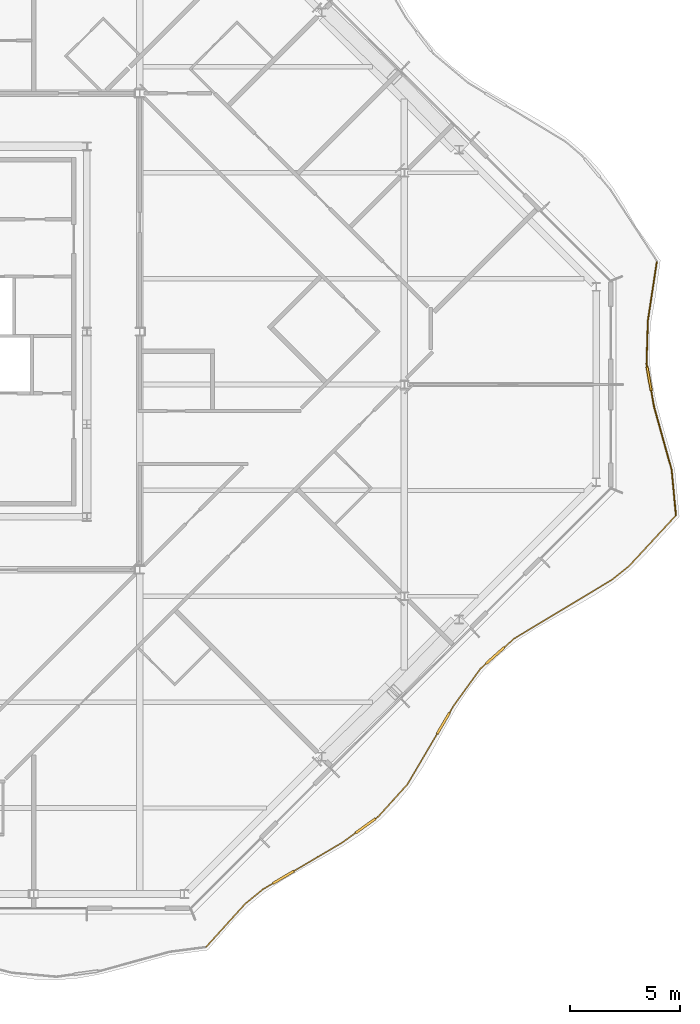
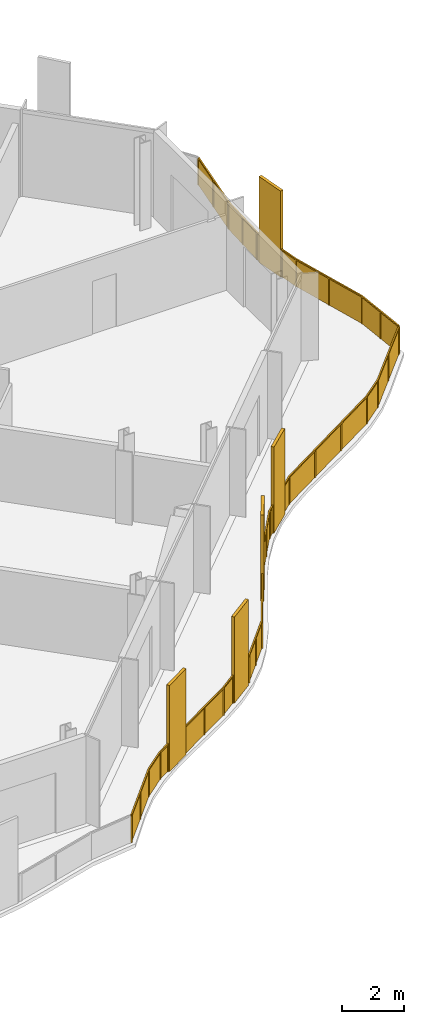
# One storey, part 15 of 17: 2 railings.
"""IFC4 building model written with IfcOpenShell, lengths in metres."""

import ifcopenshell
import ifcopenshell.guid

model = None  # the IFC model being written
_history = None  # IfcOwnerHistory: only IFC2X3 demands one
_inside = {}  # id of a spatial element -> (the spatial element, [elements in it])
_under = {}  # id of a project, library or spatial element -> (it, [spatial elements below it])
_declared = {}  # id of a project -> (the project, [libraries it declares])
_typed = {}  # id of a type object -> (the type object, [elements of that type])
_made_of = {}  # id of a material, layer set ... -> (it, [elements and type objects made of it])


def new_model(schema):
    """Start an empty IFC model of exactly this schema.

    Asked for "IFC4X3", IfcOpenShell would pick the latest addendum, in which some entities
    have other attributes; the version numbers below select the first issue.
    IFC2X3 requires an IfcOwnerHistory on every rooted entity: one is made here for all.
    """
    global model, _history
    if schema == "IFC4X3":
        model = ifcopenshell.file(schema_version=(4, 3, 0, 0))
    else:
        model = ifcopenshell.file(schema=schema)
    _inside.clear()
    _under.clear()
    _declared.clear()
    _typed.clear()
    _made_of.clear()
    _history = None
    if model.schema == "IFC2X3":
        org = make("IfcOrganization", Name="unknown")
        user = make(
            "IfcPersonAndOrganization",
            ThePerson=make("IfcPerson", FamilyName="unknown"),
            TheOrganization=org,
        )
        app = make(
            "IfcApplication",
            ApplicationDeveloper=org,
            Version="unknown",
            ApplicationFullName="unknown",
            ApplicationIdentifier="unknown",
        )
        _history = make(
            "IfcOwnerHistory",
            OwningUser=user,
            OwningApplication=app,
            ChangeAction="ADDED",
            CreationDate=0,
        )
    return model


def make(cls, **values):
    """One entity of the class cls with the attributes given. An attribute that is None is left unset."""
    return model.create_entity(
        cls, **{name: value for name, value in values.items() if value is not None}
    )


def rooted(cls, **values):
    """An entity with a GlobalId (a new one), such as an element, a storey or a relation."""
    return make(cls, GlobalId=ifcopenshell.guid.new(), OwnerHistory=_history, **values)


def si_unit(unit_type, name, prefix=None):
    """IfcSIUnit, for example si_unit("LENGTHUNIT", "METRE", prefix="MILLI")."""
    return make("IfcSIUnit", UnitType=unit_type, Prefix=prefix, Name=name)


def assignment(units):
    """IfcUnitAssignment: the units of a project."""
    return None if units is None else make("IfcUnitAssignment", Units=units)


def point(xyz):
    """IfcCartesianPoint."""
    return None if xyz is None else make("IfcCartesianPoint", Coordinates=xyz)


def direction(xyz):
    """IfcDirection."""
    return None if xyz is None else make("IfcDirection", DirectionRatios=xyz)


def frame(location, z_axis=None, x_axis=None):
    """IfcAxis2Placement3D, a coordinate frame: its origin and axes. An axis left out is left unset."""
    return make(
        "IfcAxis2Placement3D",
        Location=point(location),
        Axis=direction(z_axis),
        RefDirection=direction(x_axis),
    )


def frame_2d(location, x_axis=None):
    """IfcAxis2Placement2D, a coordinate frame in the plane: its origin and x axis."""
    return make(
        "IfcAxis2Placement2D", Location=point(location), RefDirection=direction(x_axis)
    )


def origin():
    """The frame at (0, 0, 0) with its axes left unset."""
    return frame((0.0, 0.0, 0.0))


def origin_2d():
    """The frame at (0, 0) in the plane with its x axis left unset."""
    return frame_2d((0.0, 0.0))


def place(relative_to, where):
    """IfcLocalPlacement: puts the frame where relative to a parent placement (None: the world)."""
    return make(
        "IfcLocalPlacement", PlacementRelTo=relative_to, RelativePlacement=where
    )


def context(
    kind, dimensions, precision=None, world=None, true_north=None, identifier=None
):
    """IfcGeometricRepresentationContext, for example the 3D "Model" context."""
    return make(
        "IfcGeometricRepresentationContext",
        ContextIdentifier=identifier,
        ContextType=kind,
        CoordinateSpaceDimension=dimensions,
        Precision=precision,
        WorldCoordinateSystem=world,
        TrueNorth=true_north,
    )


def subcontext(parent, identifier, kind, view, scale=None):
    """IfcGeometricRepresentationSubContext, for example "Body" below "Model"."""
    return make(
        "IfcGeometricRepresentationSubContext",
        ContextIdentifier=identifier,
        ContextType=kind,
        ParentContext=parent,
        TargetScale=scale,
        TargetView=view,
    )


def project(units=None, contexts=None):
    """IfcProject with its units and contexts."""
    return rooted(
        "IfcProject",
        Name="project",
        RepresentationContexts=contexts,
        UnitsInContext=assignment(units),
    )


def spatial(cls, under=None, at=None, **own):
    """A site, building, storey or space (cls), placed at a placement, below another one or the project."""
    s = rooted(cls, ObjectPlacement=at, **own)
    if under is not None:
        _under.setdefault(under.id(), (under, []))[1].append(s)
    return s


def polyline(points):
    """IfcPolyline through the points."""
    return make("IfcPolyline", Points=[point(p) for p in points])


def profile(cls, at=None, kind="AREA", **sizes):
    """A parametric profile (cls). Its sizes go by their IFC names, for example OverallWidth=200.0."""
    return make(cls, ProfileType=kind, Position=at, **sizes)


def rectangle(**sizes):
    """IfcRectangleProfileDef."""
    return profile("IfcRectangleProfileDef", **sizes)


def outline(outer, holes=None, kind="AREA"):
    """IfcArbitraryClosedProfileDef: a profile drawn as a closed curve; with holes, ...WithVoids."""
    if holes is None:
        return make("IfcArbitraryClosedProfileDef", ProfileType=kind, OuterCurve=outer)
    return make(
        "IfcArbitraryProfileDefWithVoids",
        ProfileType=kind,
        OuterCurve=outer,
        InnerCurves=holes,
    )


def extrude(swept, where, along, depth):
    """IfcExtrudedAreaSolid: the profile swept, set in the frame where, extruded along a direction by depth."""
    return make(
        "IfcExtrudedAreaSolid",
        SweptArea=swept,
        Position=where,
        ExtrudedDirection=direction(along),
        Depth=depth,
    )


def shape(context_of_items, identifier, shape_type, items):
    """IfcShapeRepresentation: the items that make up one representation, for example the "Body"."""
    return make(
        "IfcShapeRepresentation",
        ContextOfItems=context_of_items,
        RepresentationIdentifier=identifier,
        RepresentationType=shape_type,
        Items=items,
    )


def material(Name=None, Category=None):
    """IfcMaterial."""
    return make("IfcMaterial", Name=Name, Category=Category)


def made_of(thing, what):
    """Note that an element or type object is made of a material, layer set ...; save() writes the relation."""
    if what is not None:
        _made_of.setdefault(what.id(), (what, []))[1].append(thing)
    return thing


def type_object(cls, material=None, **own):
    """A type object (cls), such as IfcWallType, which elements share."""
    return made_of(rooted(cls, **own), material)


def element(
    cls,
    number,
    at=None,
    inside=None,
    cuts=None,
    type_object=None,
    material=None,
    context=None,
    identifier="Body",
    shape_type=None,
    held_by="IfcProductDefinitionShape",
    body=None,
    shapes=None,
    **own,
):
    """One element of the class cls, such as IfcWall. Its Tag is "e" and its number.

    at: its placement. inside: the storey or other place that contains it. cuts: it is an
    opening in that element (IfcRelVoidsElement). A single representation is given by context,
    identifier, shape_type and body (its items); several are given by shapes. held_by: the class
    of the entity that holds the representations. save() writes the other relations.
    """
    e = rooted(cls, Tag="e%d" % number, ObjectPlacement=at, **own)
    if body is not None:
        shapes = [shape(context, identifier, shape_type, body)]
    if shapes is not None:
        e.Representation = make(held_by, Representations=shapes)
    if inside is not None:
        _inside.setdefault(inside.id(), (inside, []))[1].append(e)
    if cuts is not None:
        rooted(
            "IfcRelVoidsElement", RelatingBuildingElement=cuts, RelatedOpeningElement=e
        )
    if type_object is not None:
        _typed.setdefault(type_object.id(), (type_object, []))[1].append(e)
    return made_of(e, material)


def aggregate(whole, parts):
    """IfcRelAggregates: a whole, such as a stair, and the parts it consists of."""
    return rooted("IfcRelAggregates", RelatingObject=whole, RelatedObjects=parts)


def save(model, path):
    """Write the relations noted so far, then the file.

    IfcRelAggregates (storeys below a building ...), IfcRelContainedInSpatialStructure (elements
    in a storey), IfcRelDefinesByType, IfcRelAssociatesMaterial and IfcRelDeclares: one each for
    every whole, place, type object, material and project.
    """
    for whole, parts in _under.values():
        aggregate(whole, parts)
    for where, things in _inside.values():
        rooted(
            "IfcRelContainedInSpatialStructure",
            RelatedElements=things,
            RelatingStructure=where,
        )
    for kind, things in _typed.values():
        rooted("IfcRelDefinesByType", RelatedObjects=things, RelatingType=kind)
    for what, things in _made_of.values():
        rooted("IfcRelAssociatesMaterial", RelatedObjects=things, RelatingMaterial=what)
    for by, libraries in _declared.values():
        rooted("IfcRelDeclares", RelatingContext=by, RelatedDefinitions=libraries)
    model.write(path)


model = new_model("IFC4")

# Units and contexts
model_context = context("Model", 3, precision=1e-05, world=origin(), true_north=direction((0.0, 1.0)))
body_context = subcontext(model_context, "Body", "Model", "MODEL_VIEW")
ifc_project = project(units=[si_unit("LENGTHUNIT", "METRE"), si_unit("AREAUNIT", "SQUARE_METRE"), si_unit("VOLUMEUNIT", "CUBIC_METRE"), si_unit("PLANEANGLEUNIT", "RADIAN"), si_unit("MASSUNIT", "GRAM", prefix="KILO")], contexts=[model_context])

# Site, building, storey
site_placement = place(None, origin())
site = spatial("IfcSite", under=ifc_project, at=site_placement, CompositionType="ELEMENT")
building_placement = place(site_placement, origin())
building = spatial("IfcBuilding", under=site, at=building_placement, Name="Cairn Pilgrim Tower", CompositionType="ELEMENT")
storey_placement = place(building_placement, frame((0.0, 0.0, 274.199951171875)))
storey = spatial("IfcBuildingStorey", under=building, at=storey_placement, Name="L70", CompositionType="ELEMENT", Elevation=274.199951171875)

# Railings
ifc_material = material(Name="Bronze anodised aluminium rail, posts and fin screens with laminated glass infill", Category="aluminium")
railing_type = type_object("IfcRailingType", Name="BALCONY GUARD WITH FIN SCREENS", PredefinedType="GUARDRAIL", material=ifc_material)
railing_1_placement = place(storey_placement, frame((22.20654296875, -25.501708984375, 0.0)))
element("IfcRailing", 1, at=railing_1_placement, inside=storey, type_object=railing_type, Name="Balcony guard BGF-1 with fin screens", PredefinedType="GUARDRAIL", context=body_context, shape_type="SweptSolid", body=[
    extrude(rectangle(XDim=0.050048828125, YDim=0.050048828125, at=origin_2d()), frame((0.0, 0.0, 1.0751953125), z_axis=(0.671204986505, 0.741271789623, 0.0), x_axis=(-0.741271789623, 0.671204986505, 0.0)), (0.0, 0.0, 1.0), 2.651611328125),
    extrude(rectangle(XDim=0.050048828125, YDim=0.050048828125, at=origin_2d()), frame((1.77978515625, 1.965576171875, 1.0751953125), z_axis=(0.775680320527, 0.63112600988, 0.0), x_axis=(-0.63112600988, 0.775680320527, 0.0)), (0.0, 0.0, 1.0), 1.03369140625),
    extrude(rectangle(XDim=1.10009765625, YDim=0.110107421875, at=origin_2d()), frame((3.505615234375, 3.162841796875, 0.0), z_axis=(0.0, 0.0, 1.0), x_axis=(0.861429779893, 0.507876692036, 0.0)), (0.0, 0.0, 1.0), 3.39990234375),
    extrude(rectangle(XDim=0.050048828125, YDim=0.050048828125, at=origin_2d()), frame((2.58154296875, 2.617919921875, 1.0751953125), z_axis=(0.861429779893, 0.507876692036, 0.0), x_axis=(-0.507876692036, 0.861429779893, 0.0)), (0.0, 0.0, 1.0), 0.52294921875),
    extrude(rectangle(XDim=0.050048828125, YDim=0.050048828125, at=origin_2d()), frame((3.9794921875, 3.442138671875, 1.0751953125), z_axis=(0.861429779893, 0.507876692036, 0.0), x_axis=(-0.507876692036, 0.861429779893, 0.0)), (0.0, 0.0, 1.0), 2.5361328125),
    extrude(rectangle(XDim=1.10009765625, YDim=0.110107421875, at=origin_2d()), frame((7.233154296875, 5.4970703125, 0.0), z_axis=(0.0, 0.0, 1.0), x_axis=(0.812553217057, 0.582887012594, 0.0)), (0.0, 0.0, 1.0), 3.39990234375),
    extrude(rectangle(XDim=0.050048828125, YDim=0.050048828125, at=origin_2d()), frame((6.164306640625, 4.730224609375, 1.0751953125), z_axis=(0.812553217057, 0.582887012594, 0.0), x_axis=(-0.582887012594, 0.812553217057, 0.0)), (0.0, 0.0, 1.0), 0.765380859375),
    extrude(rectangle(XDim=0.050048828125, YDim=0.050048828125, at=origin_2d()), frame((7.68017578125, 5.817626953125, 1.0751953125), z_axis=(0.812553217057, 0.582887012594, 0.0), x_axis=(-0.582887012594, 0.812553217057, 0.0)), (0.0, 0.0, 1.0), 0.150146484375),
    extrude(rectangle(XDim=0.050048828125, YDim=0.050048828125, at=origin_2d()), frame((7.802001953125, 5.905029296875, 1.0751953125), z_axis=(0.669977762672, 0.742381167276, 0.0), x_axis=(-0.742381167276, 0.669977762672, 0.0)), (0.0, 0.0, 1.0), 1.982666015625),
    extrude(rectangle(XDim=1.10009765625, YDim=0.110107421875, at=origin_2d()), frame((10.7548828125, 10.13818359375, 0.0), z_axis=(0.0, 0.0, 1.0), x_axis=(0.507066431251, 0.861906975432, 0.0)), (0.0, 0.0, 1.0), 3.39990234375),
    extrude(rectangle(XDim=0.050048828125, YDim=0.050048828125, at=origin_2d()), frame((9.13037109375, 7.376953125, 1.0751953125), z_axis=(0.507066431251, 0.861906975432, 0.0), x_axis=(-0.861906975432, 0.507066431251, 0.0)), (0.0, 0.0, 1.0), 2.653564453125),
    extrude(rectangle(XDim=0.050048828125, YDim=0.050048828125, at=origin_2d()), frame((11.03369140625, 10.612060546875, 1.0751953125), z_axis=(0.507066431251, 0.861906975432, 0.0), x_axis=(-0.861906975432, 0.507066431251, 0.0)), (0.0, 0.0, 1.0), 0.393798828125),
    extrude(rectangle(XDim=0.050048828125, YDim=0.050048828125, at=origin_2d()), frame((11.2333984375, 10.95166015625, 1.0751953125), z_axis=(0.586338241982, 0.810066334314, 0.0), x_axis=(-0.810066334314, 0.586338241982, 0.0)), (0.0, 0.0, 1.0), 2.060302734375),
    extrude(rectangle(XDim=1.10009765625, YDim=0.110107421875, at=origin_2d()), frame((13.1025390625, 13.21142578125, 0.0), z_axis=(0.0, 0.0, 1.0), x_axis=(0.745634643019, 0.666354994826, 0.0)), (0.0, 0.0, 1.0), 3.39990234375),
    extrude(rectangle(XDim=0.050048828125, YDim=0.050048828125, at=origin_2d()), frame((12.44140625, 12.62060546875, 1.0751953125), z_axis=(0.745634643019, 0.666354994826, 0.0), x_axis=(-0.666354994826, 0.745634643019, 0.0)), (0.0, 0.0, 1.0), 0.336669921875),
    extrude(rectangle(XDim=0.050048828125, YDim=0.050048828125, at=origin_2d()), frame((13.5126953125, 13.577880859375, 1.0751953125), z_axis=(0.745634643019, 0.666354994826, 0.0), x_axis=(-0.666354994826, 0.745634643019, 0.0)), (0.0, 0.0, 1.0), 0.608154296875),
    extrude(rectangle(XDim=0.050048828125, YDim=0.050048828125, at=origin_2d()), frame((13.966064453125, 13.983154296875, 1.0751953125), z_axis=(0.856989872577, 0.515333249752, 0.0), x_axis=(-0.515333249752, 0.856989872577, 0.0)), (0.0, 0.0, 1.0), 5.185791015625),
    extrude(rectangle(XDim=0.050048828125, YDim=0.050048828125, at=origin_2d()), frame((18.41015625, 16.655517578125, 1.0751953125), z_axis=(0.778844236462, 0.627217390807, 0.0), x_axis=(-0.627217390807, 0.778844236462, 0.0)), (0.0, 0.0, 1.0), 0.990234375),
    extrude(rectangle(XDim=0.050048828125, YDim=0.050048828125, at=origin_2d()), frame((19.181396484375, 17.276611328125, 1.0751953125), z_axis=(0.679398492956, 0.733769505887, 0.0), x_axis=(-0.733769505887, 0.679398492956, 0.0)), (0.0, 0.0, 1.0), 3.062255859375),
    extrude(rectangle(XDim=0.050048828125, YDim=0.050048828125, at=origin_2d()), origin(), (0.0, 0.0, 1.0), 1.050048828125),
    extrude(rectangle(XDim=0.050048828125, YDim=0.050048828125, at=origin_2d()), frame((0.889892578125, 0.98291015625, 0.0)), (0.0, 0.0, 1.0), 1.050048828125),
    extrude(rectangle(XDim=0.050048828125, YDim=0.050048828125, at=origin_2d()), frame((1.77978515625, 1.965576171875, 0.0)), (0.0, 0.0, 1.0), 1.050048828125),
    extrude(rectangle(XDim=0.050048828125, YDim=0.050048828125, at=origin_2d()), frame((2.58154296875, 2.617919921875, 0.0)), (0.0, 0.0, 1.0), 1.050048828125),
    extrude(rectangle(XDim=0.050048828125, YDim=0.050048828125, at=origin_2d()), frame((3.010498046875, 2.870849609375, 0.0)), (0.0, 0.0, 1.0), 1.050048828125),
    extrude(rectangle(XDim=0.050048828125, YDim=0.050048828125, at=origin_2d()), frame((4.0009765625, 3.454833984375, 0.0)), (0.0, 0.0, 1.0), 1.050048828125),
    extrude(rectangle(XDim=0.050048828125, YDim=0.050048828125, at=origin_2d()), frame((5.082763671875, 4.092529296875, 0.0)), (0.0, 0.0, 1.0), 1.050048828125),
    extrude(rectangle(XDim=0.050048828125, YDim=0.050048828125, at=origin_2d()), frame((6.164306640625, 4.730224609375, 0.0)), (0.0, 0.0, 1.0), 1.050048828125),
    extrude(rectangle(XDim=0.050048828125, YDim=0.050048828125, at=origin_2d()), frame((6.765869140625, 5.161865234375, 0.0)), (0.0, 0.0, 1.0), 1.050048828125),
    extrude(rectangle(XDim=0.050048828125, YDim=0.050048828125, at=origin_2d()), frame((7.700439453125, 5.832275390625, 0.0)), (0.0, 0.0, 1.0), 1.050048828125),
    extrude(rectangle(XDim=0.050048828125, YDim=0.050048828125, at=origin_2d()), frame((7.802001953125, 5.905029296875, 0.0)), (0.0, 0.0, 1.0), 1.050048828125),
    extrude(rectangle(XDim=0.050048828125, YDim=0.050048828125, at=origin_2d()), frame((8.46630859375, 6.64111328125, 0.0)), (0.0, 0.0, 1.0), 1.050048828125),
    extrude(rectangle(XDim=0.050048828125, YDim=0.050048828125, at=origin_2d()), frame((9.13037109375, 7.376953125, 0.0)), (0.0, 0.0, 1.0), 1.050048828125),
    extrude(rectangle(XDim=0.050048828125, YDim=0.050048828125, at=origin_2d()), frame((9.796875, 8.509765625, 0.0)), (0.0, 0.0, 1.0), 1.050048828125),
    extrude(rectangle(XDim=0.050048828125, YDim=0.050048828125, at=origin_2d()), frame((10.463134765625, 9.642578125, 0.0)), (0.0, 0.0, 1.0), 1.050048828125),
    extrude(rectangle(XDim=0.050048828125, YDim=0.050048828125, at=origin_2d()), frame((11.04638671875, 10.6337890625, 0.0)), (0.0, 0.0, 1.0), 1.050048828125),
    extrude(rectangle(XDim=0.050048828125, YDim=0.050048828125, at=origin_2d()), frame((11.2333984375, 10.95166015625, 0.0)), (0.0, 0.0, 1.0), 1.050048828125),
    extrude(rectangle(XDim=0.050048828125, YDim=0.050048828125, at=origin_2d()), frame((11.83740234375, 11.7861328125, 0.0)), (0.0, 0.0, 1.0), 1.050048828125),
    extrude(rectangle(XDim=0.050048828125, YDim=0.050048828125, at=origin_2d()), frame((12.44140625, 12.62060546875, 0.0)), (0.0, 0.0, 1.0), 1.050048828125),
    extrude(rectangle(XDim=0.050048828125, YDim=0.050048828125, at=origin_2d()), frame((12.673828125, 12.828369140625, 0.0)), (0.0, 0.0, 1.0), 1.050048828125),
    extrude(rectangle(XDim=0.050048828125, YDim=0.050048828125, at=origin_2d()), frame((13.53125, 13.5947265625, 0.0)), (0.0, 0.0, 1.0), 1.050048828125),
    extrude(rectangle(XDim=0.050048828125, YDim=0.050048828125, at=origin_2d()), frame((13.966064453125, 13.983154296875, 0.0)), (0.0, 0.0, 1.0), 1.050048828125),
    extrude(rectangle(XDim=0.050048828125, YDim=0.050048828125, at=origin_2d()), frame((15.447509765625, 14.8740234375, 0.0)), (0.0, 0.0, 1.0), 1.050048828125),
    extrude(rectangle(XDim=0.050048828125, YDim=0.050048828125, at=origin_2d()), frame((16.9287109375, 15.7646484375, 0.0)), (0.0, 0.0, 1.0), 1.050048828125),
    extrude(rectangle(XDim=0.050048828125, YDim=0.050048828125, at=origin_2d()), frame((18.41015625, 16.655517578125, 0.0)), (0.0, 0.0, 1.0), 1.050048828125),
    extrude(rectangle(XDim=0.050048828125, YDim=0.050048828125, at=origin_2d()), frame((19.181396484375, 17.276611328125, 0.0)), (0.0, 0.0, 1.0), 1.050048828125),
    extrude(rectangle(XDim=0.050048828125, YDim=0.050048828125, at=origin_2d()), frame((20.2216796875, 18.400146484375, 0.0)), (0.0, 0.0, 1.0), 1.050048828125),
    extrude(rectangle(XDim=0.050048828125, YDim=0.050048828125, at=origin_2d()), frame((21.261962890625, 19.523681640625, 0.0)), (0.0, 0.0, 1.0), 1.050048828125),
    extrude(outline(polyline([(0.02490234375, 0.0), (1.30078125, 0.0), (1.30078125, 1.050048828125), (0.02490234375, 1.050048828125), (0.02490234375, 0.0)])), frame((-0.00439453125, 0.00390625, 0.0), z_axis=(0.741271789623, -0.671204986505, 0.0), x_axis=(0.671204986505, 0.741271789623, 0.0)), (0.0, 0.0, 1.0), 0.011962890625),
    extrude(outline(polyline([(0.02490234375, 0.0), (1.30078125, 0.0), (1.30078125, 1.050048828125), (0.02490234375, 1.050048828125), (0.02490234375, 0.0)])), frame((0.885498046875, 0.98681640625, 0.0), z_axis=(0.741271789623, -0.671204986505, 0.0), x_axis=(0.671204986505, 0.741271789623, 0.0)), (0.0, 0.0, 1.0), 0.011962890625),
    extrude(outline(polyline([(0.02490234375, 0.0), (1.008544921875, 0.0), (1.008544921875, 1.050048828125), (0.02490234375, 1.050048828125), (0.02490234375, 0.0)])), frame((1.776123046875, 1.97021484375, 0.0), z_axis=(0.63112600988, -0.775680320527, 0.0), x_axis=(0.775680320527, 0.63112600988, 0.0)), (0.0, 0.0, 1.0), 0.011962890625),
    extrude(outline(polyline([(0.02490234375, 0.0), (0.472900390625, 0.0), (0.472900390625, 1.050048828125), (0.02490234375, 1.050048828125), (0.02490234375, 0.0)])), frame((2.57861328125, 2.623046875, 0.0), z_axis=(0.507876692036, -0.861429779893, 0.0), x_axis=(0.861429779893, 0.507876692036, 0.0)), (0.0, 0.0, 1.0), 0.011962890625),
    extrude(outline(polyline([(0.02490234375, 0.0), (1.23046875, 0.0), (1.23046875, 1.050048828125), (0.02490234375, 1.050048828125), (0.02490234375, 0.0)])), frame((3.998046875, 3.4599609375, 0.0), z_axis=(0.507876692036, -0.861429779893, 0.0), x_axis=(0.861429779893, 0.507876692036, 0.0)), (0.0, 0.0, 1.0), 0.011962890625),
    extrude(outline(polyline([(0.02490234375, 0.0), (1.23046875, 0.0), (1.23046875, 1.050048828125), (0.02490234375, 1.050048828125), (0.02490234375, 0.0)])), frame((5.07958984375, 4.09765625, 0.0), z_axis=(0.507876692036, -0.861429779893, 0.0), x_axis=(0.861429779893, 0.507876692036, 0.0)), (0.0, 0.0, 1.0), 0.011962890625),
    extrude(outline(polyline([(0.02490234375, 0.0), (0.71533203125, 0.0), (0.71533203125, 1.050048828125), (0.02490234375, 1.050048828125), (0.02490234375, 0.0)])), frame((6.160888671875, 4.735107421875, 0.0), z_axis=(0.582887012594, -0.812553217057, 0.0), x_axis=(0.812553217057, 0.582887012594, 0.0)), (0.0, 0.0, 1.0), 0.011962890625),
    extrude(outline(polyline([(0.02490234375, 0.0), (0.10009765625, 0.0), (0.10009765625, 1.050048828125), (0.02490234375, 1.050048828125), (0.02490234375, 0.0)])), frame((7.697021484375, 5.8369140625, 0.0), z_axis=(0.582887012594, -0.812553217057, 0.0), x_axis=(0.812553217057, 0.582887012594, 0.0)), (0.0, 0.0, 1.0), 0.011962890625),
    extrude(outline(polyline([(0.02490234375, 0.0), (0.96630859375, 0.0), (0.96630859375, 1.050048828125), (0.02490234375, 1.050048828125), (0.02490234375, 0.0)])), frame((7.797607421875, 5.908935546875, 0.0), z_axis=(0.742381167276, -0.669977762672, 0.0), x_axis=(0.669977762672, 0.742381167276, 0.0)), (0.0, 0.0, 1.0), 0.011962890625),
    extrude(outline(polyline([(0.02490234375, 0.0), (0.96630859375, 0.0), (0.96630859375, 1.050048828125), (0.02490234375, 1.050048828125), (0.02490234375, 0.0)])), frame((8.461669921875, 6.64501953125, 0.0), z_axis=(0.742381167276, -0.669977762672, 0.0), x_axis=(0.669977762672, 0.742381167276, 0.0)), (0.0, 0.0, 1.0), 0.011962890625),
    extrude(outline(polyline([(0.02490234375, 0.0), (1.289306640625, 0.0), (1.289306640625, 1.050048828125), (0.02490234375, 1.050048828125), (0.02490234375, 0.0)])), frame((9.125244140625, 7.3798828125, 0.0), z_axis=(0.861906975432, -0.507066431251, 0.0), x_axis=(0.507066431251, 0.861906975432, 0.0)), (0.0, 0.0, 1.0), 0.011962890625),
    extrude(outline(polyline([(0.02490234375, 0.0), (1.289306640625, 0.0), (1.289306640625, 1.050048828125), (0.02490234375, 1.050048828125), (0.02490234375, 0.0)])), frame((9.791748046875, 8.5126953125, 0.0), z_axis=(0.861906975432, -0.507066431251, 0.0), x_axis=(0.507066431251, 0.861906975432, 0.0)), (0.0, 0.0, 1.0), 0.011962890625),
    extrude(outline(polyline([(0.02490234375, 0.0), (0.34375, 0.0), (0.34375, 1.050048828125), (0.02490234375, 1.050048828125), (0.02490234375, 0.0)])), frame((11.041259765625, 10.63671875, 0.0), z_axis=(0.861906975432, -0.507066431251, 0.0), x_axis=(0.507066431251, 0.861906975432, 0.0)), (0.0, 0.0, 1.0), 0.011962890625),
    extrude(outline(polyline([(0.02490234375, 0.0), (1.005126953125, 0.0), (1.005126953125, 1.050048828125), (0.02490234375, 1.050048828125), (0.02490234375, 0.0)])), frame((11.228515625, 10.955078125, 0.0), z_axis=(0.810066334314, -0.586338241982, 0.0), x_axis=(0.586338241982, 0.810066334314, 0.0)), (0.0, 0.0, 1.0), 0.011962890625),
    extrude(outline(polyline([(0.02490234375, 0.0), (1.005126953125, 0.0), (1.005126953125, 1.050048828125), (0.02490234375, 1.050048828125), (0.02490234375, 0.0)])), frame((11.83251953125, 11.78955078125, 0.0), z_axis=(0.810066334314, -0.586338241982, 0.0), x_axis=(0.586338241982, 0.810066334314, 0.0)), (0.0, 0.0, 1.0), 0.011962890625),
    extrude(outline(polyline([(0.02490234375, 0.0), (0.28662109375, 0.0), (0.28662109375, 1.050048828125), (0.02490234375, 1.050048828125), (0.02490234375, 0.0)])), frame((12.4375, 12.625, 0.0), z_axis=(0.666354994826, -0.745634643019, 0.0), x_axis=(0.745634643019, 0.666354994826, 0.0)), (0.0, 0.0, 1.0), 0.011962890625),
    extrude(outline(polyline([(0.02490234375, 0.0), (0.55810546875, 0.0), (0.55810546875, 1.050048828125), (0.02490234375, 1.050048828125), (0.02490234375, 0.0)])), frame((13.52734375, 13.59912109375, 0.0), z_axis=(0.666354994826, -0.745634643019, 0.0), x_axis=(0.745634643019, 0.666354994826, 0.0)), (0.0, 0.0, 1.0), 0.011962890625),
    extrude(outline(polyline([(0.02490234375, 0.0), (1.70361328125, 0.0), (1.70361328125, 1.050048828125), (0.02490234375, 1.050048828125), (0.02490234375, 0.0)])), frame((13.962890625, 13.98828125, 0.0), z_axis=(0.515333249752, -0.856989872577, 0.0), x_axis=(0.856989872577, 0.515333249752, 0.0)), (0.0, 0.0, 1.0), 0.011962890625),
    extrude(outline(polyline([(0.02490234375, 0.0), (1.70361328125, 0.0), (1.70361328125, 1.050048828125), (0.02490234375, 1.050048828125), (0.02490234375, 0.0)])), frame((15.4443359375, 14.879150390625, 0.0), z_axis=(0.515333249752, -0.856989872577, 0.0), x_axis=(0.856989872577, 0.515333249752, 0.0)), (0.0, 0.0, 1.0), 0.011962890625),
    extrude(outline(polyline([(0.02490234375, 0.0), (1.70361328125, 0.0), (1.70361328125, 1.050048828125), (0.02490234375, 1.050048828125), (0.02490234375, 0.0)])), frame((16.92578125, 15.769775390625, 0.0), z_axis=(0.515333249752, -0.856989872577, 0.0), x_axis=(0.856989872577, 0.515333249752, 0.0)), (0.0, 0.0, 1.0), 0.011962890625),
    extrude(outline(polyline([(0.02490234375, 0.0), (0.96533203125, 0.0), (0.96533203125, 1.050048828125), (0.02490234375, 1.050048828125), (0.02490234375, 0.0)])), frame((18.406494140625, 16.66015625, 0.0), z_axis=(0.627217390807, -0.778844236462, 0.0), x_axis=(0.778844236462, 0.627217390807, 0.0)), (0.0, 0.0, 1.0), 0.011962890625),
    extrude(outline(polyline([(0.02490234375, 0.0), (1.506103515625, 0.0), (1.506103515625, 1.050048828125), (0.02490234375, 1.050048828125), (0.02490234375, 0.0)])), frame((19.177001953125, 17.28076171875, 0.0), z_axis=(0.733769505887, -0.679398492956, 0.0), x_axis=(0.679398492956, 0.733769505887, 0.0)), (0.0, 0.0, 1.0), 0.011962890625),
    extrude(outline(polyline([(0.02490234375, 0.0), (1.506103515625, 0.0), (1.506103515625, 1.050048828125), (0.02490234375, 1.050048828125), (0.02490234375, 0.0)])), frame((20.21728515625, 18.404296875, 0.0), z_axis=(0.733769505887, -0.679398492956, 0.0), x_axis=(0.679398492956, 0.733769505887, 0.0)), (0.0, 0.0, 1.0), 0.011962890625),
])
railing_2_placement = place(storey_placement, frame((43.50927734375, -5.933837890625, 0.0)))
element("IfcRailing", 2, at=railing_2_placement, inside=storey, type_object=railing_type, Name="Balcony guard BGF-2 with fin screens", PredefinedType="GUARDRAIL", context=body_context, shape_type="SweptSolid", body=[
    extrude(rectangle(XDim=0.050048828125, YDim=0.050048828125, at=origin_2d()), frame((0.0, 0.0, 1.0751953125), z_axis=(-0.093399011602, 0.995628758439, 0.0), x_axis=(-0.995628758439, -0.093399011602, 0.0)), (0.0, 0.0, 1.0), 2.075439453125),
    extrude(rectangle(XDim=0.050048828125, YDim=0.050048828125, at=origin_2d()), frame((-0.19384765625, 2.06640625, 1.0751953125), z_axis=(-0.268761898452, 0.963206645503, 0.0), x_axis=(-0.963206645503, -0.268761898452, 0.0)), (0.0, 0.0, 1.0), 2.984130859375),
    extrude(rectangle(XDim=1.10009765625, YDim=0.110107421875, at=origin_2d()), frame((-1.212890625, 6.193603515625, 0.0), z_axis=(0.0, 0.0, 1.0), x_axis=(-0.170761077021, 0.985312465452, 0.0)), (0.0, 0.0, 1.0), 3.39990234375),
    extrude(rectangle(XDim=0.050048828125, YDim=0.050048828125, at=origin_2d()), frame((-0.995849609375, 4.940673828125, 1.0751953125), z_axis=(-0.170761077021, 0.985312465452, 0.0), x_axis=(-0.985312465452, -0.170761077021, 0.0)), (0.0, 0.0, 1.0), 0.7216796875),
    extrude(rectangle(XDim=0.050048828125, YDim=0.050048828125, at=origin_2d()), frame((-1.306884765625, 6.735595703125, 1.0751953125), z_axis=(-0.170761077021, 0.985312465452, 0.0), x_axis=(-0.985312465452, -0.170761077021, 0.0)), (0.0, 0.0, 1.0), 0.150146484375),
    extrude(rectangle(XDim=0.050048828125, YDim=0.050048828125, at=origin_2d()), frame((-1.33251953125, 6.88330078125, 1.0751953125), z_axis=(0.030752746515, 0.999527022437, 0.0), x_axis=(-0.999527022437, 0.030752746515, 0.0)), (0.0, 0.0, 1.0), 1.945068359375),
    extrude(rectangle(XDim=0.050048828125, YDim=0.050048828125, at=origin_2d()), frame((-1.272705078125, 8.827392578125, 1.0751953125), z_axis=(0.15055450858, 0.98860170946, 0.0), x_axis=(-0.98860170946, 0.15055450858, 0.0)), (0.0, 0.0, 1.0), 2.674072265625),
    extrude(rectangle(XDim=0.050048828125, YDim=0.050048828125, at=origin_2d()), origin(), (0.0, 0.0, 1.0), 1.050048828125),
    extrude(rectangle(XDim=0.050048828125, YDim=0.050048828125, at=origin_2d()), frame((-0.096923828125, 1.033203125, 0.0)), (0.0, 0.0, 1.0), 1.050048828125),
    extrude(rectangle(XDim=0.050048828125, YDim=0.050048828125, at=origin_2d()), frame((-0.19384765625, 2.06640625, 0.0)), (0.0, 0.0, 1.0), 1.050048828125),
    extrude(rectangle(XDim=0.050048828125, YDim=0.050048828125, at=origin_2d()), frame((-0.5947265625, 3.50341796875, 0.0)), (0.0, 0.0, 1.0), 1.050048828125),
    extrude(rectangle(XDim=0.050048828125, YDim=0.050048828125, at=origin_2d()), frame((-0.995849609375, 4.940673828125, 0.0)), (0.0, 0.0, 1.0), 1.050048828125),
    extrude(rectangle(XDim=0.050048828125, YDim=0.050048828125, at=origin_2d()), frame((-1.11474609375, 5.626953125, 0.0)), (0.0, 0.0, 1.0), 1.050048828125),
    extrude(rectangle(XDim=0.050048828125, YDim=0.050048828125, at=origin_2d()), frame((-1.311279296875, 6.76025390625, 0.0)), (0.0, 0.0, 1.0), 1.050048828125),
    extrude(rectangle(XDim=0.050048828125, YDim=0.050048828125, at=origin_2d()), frame((-1.33251953125, 6.88330078125, 0.0)), (0.0, 0.0, 1.0), 1.050048828125),
    extrude(rectangle(XDim=0.050048828125, YDim=0.050048828125, at=origin_2d()), frame((-1.302734375, 7.85546875, 0.0)), (0.0, 0.0, 1.0), 1.050048828125),
    extrude(rectangle(XDim=0.050048828125, YDim=0.050048828125, at=origin_2d()), frame((-1.272705078125, 8.827392578125, 0.0)), (0.0, 0.0, 1.0), 1.050048828125),
    extrude(rectangle(XDim=0.050048828125, YDim=0.050048828125, at=origin_2d()), frame((-1.0712890625, 10.149169921875, 0.0)), (0.0, 0.0, 1.0), 1.050048828125),
    extrude(rectangle(XDim=0.050048828125, YDim=0.050048828125, at=origin_2d()), frame((-0.8701171875, 11.470947265625, 0.0)), (0.0, 0.0, 1.0), 1.050048828125),
    extrude(outline(polyline([(0.02490234375, 0.0), (1.0126953125, 0.0), (1.0126953125, 1.050048828125), (0.02490234375, 1.050048828125), (0.02490234375, 0.0)])), frame((-0.005859375, -0.00048828125, 0.0), z_axis=(0.995628758439, 0.093399011602, 0.0), x_axis=(-0.093399011602, 0.995628758439, 0.0)), (0.0, 0.0, 1.0), 0.011962890625),
    extrude(outline(polyline([(0.02490234375, 0.0), (1.0126953125, 0.0), (1.0126953125, 1.050048828125), (0.02490234375, 1.050048828125), (0.02490234375, 0.0)])), frame((-0.102783203125, 1.03271484375, 0.0), z_axis=(0.995628758439, 0.093399011602, 0.0), x_axis=(-0.093399011602, 0.995628758439, 0.0)), (0.0, 0.0, 1.0), 0.011962890625),
    extrude(outline(polyline([(0.02490234375, 0.0), (1.467041015625, 0.0), (1.467041015625, 1.050048828125), (0.02490234375, 1.050048828125), (0.02490234375, 0.0)])), frame((-0.19970703125, 2.064697265625, 0.0), z_axis=(0.963206645503, 0.268761898452, 0.0), x_axis=(-0.268761898452, 0.963206645503, 0.0)), (0.0, 0.0, 1.0), 0.011962890625),
    extrude(outline(polyline([(0.02490234375, 0.0), (1.467041015625, 0.0), (1.467041015625, 1.050048828125), (0.02490234375, 1.050048828125), (0.02490234375, 0.0)])), frame((-0.6005859375, 3.501953125, 0.0), z_axis=(0.963206645503, 0.268761898452, 0.0), x_axis=(-0.268761898452, 0.963206645503, 0.0)), (0.0, 0.0, 1.0), 0.011962890625),
    extrude(outline(polyline([(0.02490234375, 0.0), (0.671630859375, 0.0), (0.671630859375, 1.050048828125), (0.02490234375, 1.050048828125), (0.02490234375, 0.0)])), frame((-1.001708984375, 4.939697265625, 0.0), z_axis=(0.985312465452, 0.170761077021, 0.0), x_axis=(-0.170761077021, 0.985312465452, 0.0)), (0.0, 0.0, 1.0), 0.011962890625),
    extrude(outline(polyline([(0.02490234375, 0.0), (0.10009765625, 0.0), (0.10009765625, 1.050048828125), (0.02490234375, 1.050048828125), (0.02490234375, 0.0)])), frame((-1.317138671875, 6.759033203125, 0.0), z_axis=(0.985312465452, 0.170761077021, 0.0), x_axis=(-0.170761077021, 0.985312465452, 0.0)), (0.0, 0.0, 1.0), 0.011962890625),
    extrude(outline(polyline([(0.02490234375, 0.0), (0.947509765625, 0.0), (0.947509765625, 1.050048828125), (0.02490234375, 1.050048828125), (0.02490234375, 0.0)])), frame((-1.33837890625, 6.883544921875, 0.0), z_axis=(0.999527022437, -0.030752746515, 0.0), x_axis=(0.030752746515, 0.999527022437, 0.0)), (0.0, 0.0, 1.0), 0.011962890625),
    extrude(outline(polyline([(0.02490234375, 0.0), (0.947509765625, 0.0), (0.947509765625, 1.050048828125), (0.02490234375, 1.050048828125), (0.02490234375, 0.0)])), frame((-1.30859375, 7.85546875, 0.0), z_axis=(0.999527022437, -0.030752746515, 0.0), x_axis=(0.030752746515, 0.999527022437, 0.0)), (0.0, 0.0, 1.0), 0.011962890625),
    extrude(outline(polyline([(0.02490234375, 0.0), (1.31201171875, 0.0), (1.31201171875, 1.050048828125), (0.02490234375, 1.050048828125), (0.02490234375, 0.0)])), frame((-1.278564453125, 8.828369140625, 0.0), z_axis=(0.98860170946, -0.15055450858, 0.0), x_axis=(0.15055450858, 0.98860170946, 0.0)), (0.0, 0.0, 1.0), 0.011962890625),
    extrude(outline(polyline([(0.02490234375, 0.0), (1.31201171875, 0.0), (1.31201171875, 1.050048828125), (0.02490234375, 1.050048828125), (0.02490234375, 0.0)])), frame((-1.077392578125, 10.150146484375, 0.0), z_axis=(0.98860170946, -0.15055450858, 0.0), x_axis=(0.15055450858, 0.98860170946, 0.0)), (0.0, 0.0, 1.0), 0.011962890625),
])

save(model, "model.ifc")
